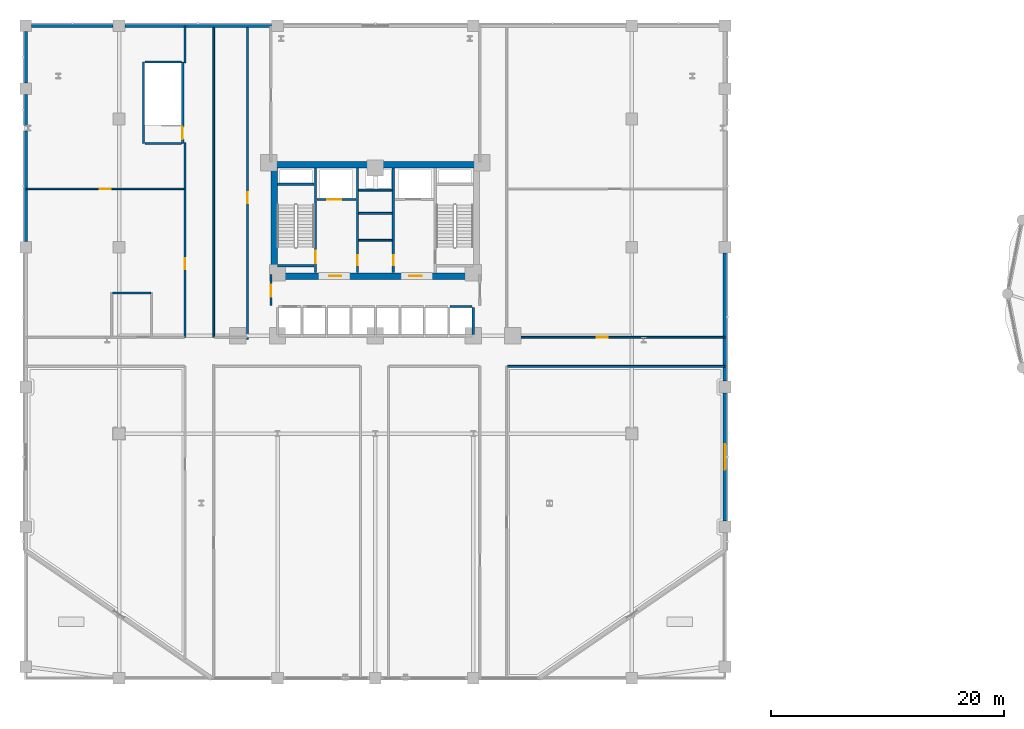
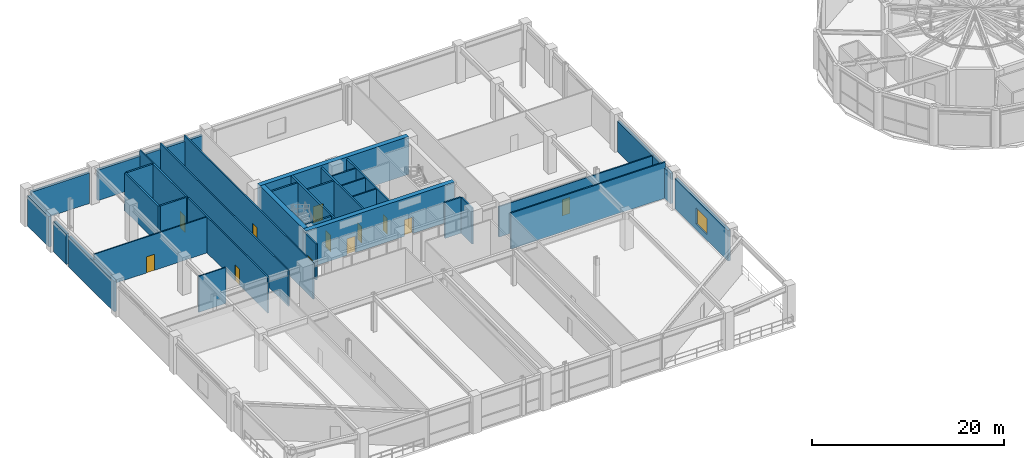
# One storey, part 16 of 26: 34 walls, 12 doors, 1 window, 13 openings.
"""IFC4 building model written with IfcOpenShell, lengths in metres."""

from ifc_helpers import new_model, si_unit, derived_unit, direction, frame, frame_2d, origin, place, context, subcontext, project, spatial, rectangle, extrude, material, layer, layer_set, type_object, element, fill, save


model = new_model("IFC4")

# Units and contexts
model_context = context("Model", 3, precision=1e-05, world=origin(), true_north=direction((0.0, 1.0)))
body_context = subcontext(model_context, "Body", "Model", "MODEL_VIEW")
ifc_project = project(units=[si_unit("LENGTHUNIT", "METRE"), si_unit("AREAUNIT", "SQUARE_METRE"), si_unit("VOLUMEUNIT", "CUBIC_METRE"), si_unit("PLANEANGLEUNIT", "RADIAN"), si_unit("MASSUNIT", "GRAM", prefix="KILO"), derived_unit("THERMALTRANSMITTANCEUNIT", [(si_unit("POWERUNIT", "WATT"), 1), (si_unit("LENGTHUNIT", "METRE"), -2), (si_unit("THERMODYNAMICTEMPERATUREUNIT", "KELVIN"), -1)])], contexts=[model_context])

# Site, building, storey
site_placement = place(None, origin())
site = spatial("IfcSite", under=ifc_project, at=site_placement, CompositionType="ELEMENT")
building_placement = place(site_placement, origin())
building = spatial("IfcBuilding", under=site, at=building_placement, Name="Korsvarv Bourse and Concert Hall", CompositionType="ELEMENT")
storey_placement = place(building_placement, frame((0.0, 0.0, 19.199951171875)))
storey = spatial("IfcBuildingStorey", under=building, at=storey_placement, Name="L04", CompositionType="ELEMENT", Elevation=19.199951171875)

# Wall, opening, door
ifc_material_1 = material(Name="Concrete C50/60", Category="concrete")
ifc_layer_1 = layer(ifc_material_1, 0.3798828125)
ifc_layer_set_1 = layer_set([ifc_layer_1], Name="Concrete C50/60")
wall_type_1 = type_object("IfcWallType", Name="WL-CORE-380", PredefinedType="SHEAR", material=ifc_layer_set_1)
wall_1_placement = place(storey_placement, frame((30.860107421875, 37.81005859375, 0.0), z_axis=(0.0, 0.0, 1.0), x_axis=(0.0, 1.0, 0.0)))
wall_1 = element("IfcWall", 1, at=wall_1_placement, inside=storey, type_object=wall_type_1, Name="L04 stair shaft structural wall W-L04-ST1-E", PredefinedType="SHEAR", context=body_context, shape_type="SweptSolid", body=[
    extrude(rectangle(XDim=8.97998046875, YDim=0.199951171875, at=frame_2d((4.489990234375, 0.0))), origin(), (0.0, 0.0, 1.0), 4.800048828125),
])
opening_1_placement = place(wall_1_placement, frame((0.820068359375, 0.0, 0.0)))
opening_1 = element("IfcOpeningElement", 2, at=opening_1_placement, cuts=wall_1, Name="Opening D-01", PredefinedType="OPENING", context=body_context, shape_type="SweptSolid", body=[
    extrude(rectangle(XDim=1.050048828125, YDim=2.10009765625, at=frame_2d((0.52490234375, 1.050048828125))), frame((0.0, 0.10986328125, 0.0), z_axis=(0.0, -1.0, 0.0), x_axis=(1.0, 0.0, 0.0)), (0.0, 0.0, 1.0), 0.219970703125),
])
ifc_material_2 = material(Name="Steel S355 fire door", Category="steel")
door_type_1 = type_object("IfcDoorType", Name="DR-FD60", OperationType="NOTDEFINED", PredefinedType="DOOR", material=ifc_material_2)
door_1_placement = place(opening_1_placement, origin())
door_1 = element("IfcDoor", 3, at=door_1_placement, inside=storey, type_object=door_type_1, Name="L04 interior door DR-L04-ST1", OperationType="SINGLE_SWING_RIGHT", OverallHeight=2.10009765625, OverallWidth=1.050048828125, PredefinedType="DOOR", context=body_context, shape_type="SweptSolid", body=[
    extrude(rectangle(XDim=1.050048828125, YDim=2.10009765625, at=frame_2d((0.52490234375, 1.050048828125))), frame((0.0, 0.02490234375, 0.0), z_axis=(0.0, -1.0, 0.0), x_axis=(1.0, 0.0, 0.0)), (0.0, 0.0, 1.0), 0.050048828125),
])
fill(opening_1, door_1)

# Walls
for number, where, z_axis, x_axis, name in (
    (4, (27.610107421875, 45.39990234375, 0.0), (0.0, 0.0, 1.0), (1.0, 0.0, 0.0), "L04 stair shaft structural wall W-L04-ST1-N"),
    (5, (27.610107421875, 38.39990234375, 0.0), (0.0, 0.0, 1.0), (1.0, 0.0, 0.0), "L04 stair shaft structural wall W-L04-ST1-S"),
):
    element("IfcWall", number, at=place(storey_placement, frame(where, z_axis=z_axis, x_axis=x_axis)), inside=storey, type_object=wall_type_1, Name=name, PredefinedType="SHEAR", context=body_context, shape_type="SweptSolid", body=[
        extrude(rectangle(XDim=3.139892578125, YDim=0.199951171875, at=frame_2d((1.56982421875, 0.0))), origin(), (0.0, 0.0, 1.0), 4.800048828125),
    ])

# Wall, opening, door
wall_2_placement = place(storey_placement, frame((19.4599609375, 48.89990234375, 0.0), z_axis=(0.0, 0.0, 1.0), x_axis=(0.0, 1.0, 0.0)))
wall_2 = element("IfcWall", 6, at=wall_2_placement, inside=storey, type_object=wall_type_1, Name="L04 stair shaft structural wall W-L04-STPD-E", PredefinedType="SHEAR", context=body_context, shape_type="SweptSolid", body=[
    extrude(rectangle(XDim=7.0, YDim=0.199951171875, at=frame_2d((3.5, 0.0))), origin(), (0.0, 0.0, 1.0), 4.800048828125),
])
opening_2_placement = place(wall_2_placement, frame((0.3798828125, 0.0, 0.0)))
opening_2 = element("IfcOpeningElement", 7, at=opening_2_placement, cuts=wall_2, Name="Opening D-01", PredefinedType="OPENING", context=body_context, shape_type="SweptSolid", body=[
    extrude(rectangle(XDim=1.050048828125, YDim=2.10009765625, at=frame_2d((0.52490234375, 1.050048828125))), frame((0.0, 0.10986328125, 0.0), z_axis=(0.0, -1.0, 0.0), x_axis=(1.0, 0.0, 0.0)), (0.0, 0.0, 1.0), 0.219970703125),
])
door_2_placement = place(opening_2_placement, origin())
door_2 = element("IfcDoor", 8, at=door_2_placement, inside=storey, type_object=door_type_1, Name="L04 interior door DR-L04-STPD1", OperationType="SINGLE_SWING_LEFT", OverallHeight=2.10009765625, OverallWidth=1.050048828125, PredefinedType="DOOR", context=body_context, shape_type="SweptSolid", body=[
    extrude(rectangle(XDim=1.050048828125, YDim=2.10009765625, at=frame_2d((0.52490234375, 1.050048828125))), frame((0.0, 0.02490234375, 0.0), z_axis=(0.0, -1.0, 0.0), x_axis=(1.0, 0.0, 0.0)), (0.0, 0.0, 1.0), 0.050048828125),
])
fill(opening_2, door_2)

# Walls
wall_3_placement = place(storey_placement, frame((16.10009765625, 48.89990234375, 0.0), z_axis=(0.0, 0.0, 1.0), x_axis=(0.0, 1.0, 0.0)))
element("IfcWall", 9, at=wall_3_placement, inside=storey, type_object=wall_type_1, Name="L04 stair shaft structural wall W-L04-STPD-W", PredefinedType="SHEAR", context=body_context, shape_type="SweptSolid", body=[
    extrude(rectangle(XDim=7.0, YDim=0.199951171875, at=frame_2d((3.5, 0.0))), origin(), (0.0, 0.0, 1.0), 4.800048828125),
])
for number, where, z_axis, x_axis, name in (
    (10, (16.2099609375, 55.89990234375, 0.0), (0.0, 0.0, 1.0), (1.0, 0.0, 0.0), "L04 stair shaft structural wall W-L04-STPD-N"),
    (11, (16.2099609375, 48.89990234375, 0.0), (0.0, 0.0, 1.0), (1.0, 0.0, 0.0), "L04 stair shaft structural wall W-L04-STPD-S"),
):
    element("IfcWall", number, at=place(storey_placement, frame(where, z_axis=z_axis, x_axis=x_axis)), inside=storey, type_object=wall_type_1, Name=name, PredefinedType="SHEAR", context=body_context, shape_type="SweptSolid", body=[
        extrude(rectangle(XDim=3.14013671875, YDim=0.199951171875, at=frame_2d((1.570068359375, 0.0))), origin(), (0.0, 0.0, 1.0), 4.800048828125),
    ])
ifc_material_3 = material(Name="Concrete C60/75", Category="concrete")
ifc_layer_2 = layer(ifc_material_3, 0.550048828125)
ifc_layer_set_2 = layer_set([ifc_layer_2], Name="Concrete C60/75")
wall_type_2 = type_object("IfcWallType", Name="WL-CORE-550", PredefinedType="SHEAR", material=ifc_layer_set_2)
wall_4_placement = place(storey_placement, frame((27.050048828125, 47.074951171875, 0.0), z_axis=(0.0, 0.0, 1.0), x_axis=(1.0, 0.0, 0.0)))
element("IfcWall", 12, at=wall_4_placement, inside=storey, type_object=wall_type_2, Name="L04 North Core Shear Wall", PredefinedType="SHEAR", context=body_context, shape_type="SweptSolid", body=[
    extrude(rectangle(XDim=17.89990234375, YDim=0.550048828125, at=frame_2d((8.949951171875, 0.0))), origin(), (0.0, 0.0, 1.0), 4.800048828125),
])

# Wall, openings, doors
wall_5_placement = place(storey_placement, frame((27.050048828125, 37.52490234375, 0.0), z_axis=(0.0, 0.0, 1.0), x_axis=(1.0, 0.0, 0.0)))
wall_5 = element("IfcWall", 13, at=wall_5_placement, inside=storey, type_object=wall_type_2, Name="L04 South Core Shear Wall", PredefinedType="SHEAR", context=body_context, shape_type="SweptSolid", body=[
    extrude(rectangle(XDim=17.89990234375, YDim=0.550048828125, at=frame_2d((8.949951171875, 0.0))), origin(), (0.0, 0.0, 1.0), 4.800048828125),
])
opening_3_placement = place(wall_5_placement, frame((4.97509765625, 0.0, 0.0)))
opening_3 = element("IfcOpeningElement", 14, at=opening_3_placement, cuts=wall_5, Name="Opening D-01", PredefinedType="OPENING", context=body_context, shape_type="SweptSolid", body=[
    extrude(rectangle(XDim=1.050048828125, YDim=2.10009765625, at=frame_2d((0.52490234375, 1.050048828125))), frame((0.0, 0.28515625, 0.0), z_axis=(0.0, -1.0, 0.0), x_axis=(1.0, 0.0, 0.0)), (0.0, 0.0, 1.0), 0.570068359375),
])
opening_4_placement = place(wall_5_placement, frame((11.875, 0.0, 0.0)))
opening_4 = element("IfcOpeningElement", 15, at=opening_4_placement, cuts=wall_5, Name="Opening D-01", PredefinedType="OPENING", context=body_context, shape_type="SweptSolid", body=[
    extrude(rectangle(XDim=1.050048828125, YDim=2.10009765625, at=frame_2d((0.52490234375, 1.050048828125))), frame((0.0, 0.28515625, 0.0), z_axis=(0.0, -1.0, 0.0), x_axis=(1.0, 0.0, 0.0)), (0.0, 0.0, 1.0), 0.570068359375),
])
door_3_placement = place(opening_3_placement, frame((1.050048828125, 0.0, 0.0), z_axis=(0.0, 0.0, 1.0), x_axis=(-1.0, 0.0, 0.0)))
door_3 = element("IfcDoor", 16, at=door_3_placement, inside=storey, type_object=door_type_1, Name="L04 firefighting lobby fire door DR-L04-FFLW", OperationType="SINGLE_SWING_LEFT", OverallHeight=2.10009765625, OverallWidth=1.050048828125, PredefinedType="DOOR", context=body_context, shape_type="SweptSolid", body=[
    extrude(rectangle(XDim=1.050048828125, YDim=2.10009765625, at=frame_2d((0.52490234375, 1.050048828125))), frame((0.0, 0.02490234375, 0.0), z_axis=(0.0, -1.0, 0.0), x_axis=(1.0, 0.0, 0.0)), (0.0, 0.0, 1.0), 0.050048828125),
])
fill(opening_3, door_3)
door_4_placement = place(opening_4_placement, frame((1.050048828125, 0.0, 0.0), z_axis=(0.0, 0.0, 1.0), x_axis=(-1.0, 0.0, 0.0)))
door_4 = element("IfcDoor", 17, at=door_4_placement, inside=storey, type_object=door_type_1, Name="L04 firefighting lobby fire door DR-L04-FFLE", OperationType="SINGLE_SWING_RIGHT", OverallHeight=2.10009765625, OverallWidth=1.050048828125, PredefinedType="DOOR", context=body_context, shape_type="SweptSolid", body=[
    extrude(rectangle(XDim=1.050048828125, YDim=2.10009765625, at=frame_2d((0.52490234375, 1.050048828125))), frame((0.0, 0.02490234375, 0.0), z_axis=(0.0, -1.0, 0.0), x_axis=(1.0, 0.0, 0.0)), (0.0, 0.0, 1.0), 0.050048828125),
])
fill(opening_4, door_4)

# Wall
wall_6_placement = place(storey_placement, frame((27.324951171875, 37.800048828125, 0.0), z_axis=(0.0, 0.0, 1.0), x_axis=(0.0, 1.0, 0.0)))
element("IfcWall", 18, at=wall_6_placement, inside=storey, type_object=wall_type_2, Name="L04 West Core Shear Wall", PredefinedType="SHEAR", context=body_context, shape_type="SweptSolid", body=[
    extrude(rectangle(XDim=9.0, YDim=0.550048828125, at=frame_2d((4.5, 0.0))), origin(), (0.0, 0.0, 1.0), 4.800048828125),
])

# Wall, opening, window
ifc_material_4 = material(Name="Precast concrete C45/55 with granite and terracotta", Category="concrete")
ifc_layer_3 = layer(ifc_material_4, 0.320068359375)
ifc_layer_set_3 = layer_set([ifc_layer_3], Name="Precast concrete C45/55 with granite and terracotta")
wall_type_3 = type_object("IfcWallType", Name="WL-EXT-POD", PredefinedType="SOLIDWALL", material=ifc_layer_set_3)
wall_7_placement = place(storey_placement, frame((66.0, 16.5048828125, 0.0), z_axis=(0.0, 0.0, 1.0), x_axis=(0.0, 1.0, 0.0)))
wall_7 = element("IfcWall", 19, at=wall_7_placement, inside=storey, type_object=wall_type_3, Name="L04 terracotta exterior wall EW-L04-G4-2", PredefinedType="SOLIDWALL", context=body_context, shape_type="SweptSolid", body=[
    extrude(rectangle(XDim=10.990234375, YDim=0.320068359375, at=frame_2d((5.4951171875, 0.0))), origin(), (0.0, 0.0, 1.0), 3.880126953125),
])
opening_5_placement = place(wall_7_placement, frame((4.39501953125, 0.0, 0.75)))
opening_5 = element("IfcOpeningElement", 20, at=opening_5_placement, cuts=wall_7, Name="Opening W-03", PredefinedType="OPENING", context=body_context, shape_type="SweptSolid", body=[
    extrude(rectangle(XDim=2.199951171875, YDim=2.0, at=frame_2d((1.10009765625, 1.0))), frame((0.0, 0.169921875, 0.0), z_axis=(0.0, -1.0, 0.0), x_axis=(1.0, 0.0, 0.0)), (0.0, 0.0, 1.0), 0.340087890625),
])
ifc_material_5 = material(Name="Thermally broken aluminium frame with triple low-E glass", Category="glass")
window_type = type_object("IfcWindowType", Name="WIN-POD1", PartitioningType="SINGLE_PANEL", PredefinedType="WINDOW", material=ifc_material_5)
window_placement = place(opening_5_placement, origin())
window = element("IfcWindow", 21, at=window_placement, inside=storey, type_object=window_type, Name="L04 punched facade window W-03", OverallHeight=2.0, OverallWidth=2.199951171875, PartitioningType="SINGLE_PANEL", PredefinedType="WINDOW", context=body_context, shape_type="SweptSolid", body=[
    extrude(rectangle(XDim=2.199951171875, YDim=2.0, at=frame_2d((1.10009765625, 1.0))), frame((0.0, 0.030029296875, 0.0), z_axis=(0.0, -1.0, 0.0), x_axis=(1.0, 0.0, 0.0)), (0.0, 0.0, 1.0), 0.06005859375),
])
fill(opening_5, window)

# Walls
wall_8_placement = place(storey_placement, frame((66.0, 28.5048828125, 0.0), z_axis=(0.0, 0.0, 1.0), x_axis=(0.0, 1.0, 0.0)))
element("IfcWall", 22, at=wall_8_placement, inside=storey, type_object=wall_type_3, Name="L04 terracotta exterior wall EW-L04-G4-3", PredefinedType="SOLIDWALL", context=body_context, shape_type="SweptSolid", body=[
    extrude(rectangle(XDim=10.990234375, YDim=0.320068359375, at=frame_2d((5.4951171875, 0.0))), origin(), (0.0, 0.0, 1.0), 3.880126953125),
])
wall_9_placement = place(storey_placement, frame((27.094970703125, 59.0, 0.0), z_axis=(0.0, 0.0, 1.0), x_axis=(-1.0, 0.0, 0.0)))
element("IfcWall", 23, at=wall_9_placement, inside=storey, type_object=wall_type_3, Name="L04 terracotta exterior wall EW-L04-G5-4", PredefinedType="SOLIDWALL", context=body_context, shape_type="SweptSolid", body=[
    extrude(rectangle(XDim=12.590087890625, YDim=0.320068359375, at=frame_2d((6.294921875, 0.0))), origin(), (0.0, 0.0, 1.0), 3.880126953125),
])
wall_10_placement = place(storey_placement, frame((13.4951171875, 59.0, 0.0), z_axis=(0.0, 0.0, 1.0), x_axis=(-1.0, 0.0, 0.0)))
element("IfcWall", 24, at=wall_10_placement, inside=storey, type_object=wall_type_3, Name="L04 terracotta exterior wall EW-L04-G5-5", PredefinedType="SOLIDWALL", context=body_context, shape_type="SweptSolid", body=[
    extrude(rectangle(XDim=6.990234375, YDim=0.320068359375, at=frame_2d((3.4951171875, 0.0))), origin(), (0.0, 0.0, 1.0), 3.880126953125),
])
wall_11_placement = place(storey_placement, frame((6.0, 58.4951171875, 0.0), z_axis=(0.0, 0.0, 1.0), x_axis=(0.0, -1.0, 0.0)))
element("IfcWall", 25, at=wall_11_placement, inside=storey, type_object=wall_type_3, Name="L04 terracotta exterior wall EW-L04-G6-1", PredefinedType="SOLIDWALL", context=body_context, shape_type="SweptSolid", body=[
    extrude(rectangle(XDim=4.39013671875, YDim=0.320068359375, at=frame_2d((2.195068359375, 0.0))), origin(), (0.0, 0.0, 1.0), 3.880126953125),
])
wall_12_placement = place(storey_placement, frame((6.0, 53.094970703125, 0.0), z_axis=(0.0, 0.0, 1.0), x_axis=(0.0, -1.0, 0.0)))
element("IfcWall", 26, at=wall_12_placement, inside=storey, type_object=wall_type_3, Name="L04 terracotta exterior wall EW-L04-G6-2", PredefinedType="SOLIDWALL", context=body_context, shape_type="SweptSolid", body=[
    extrude(rectangle(XDim=2.6357421875, YDim=0.320068359375, at=frame_2d((1.31787109375, 0.0))), origin(), (0.0, 0.0, 1.0), 3.880126953125),
])
wall_13_placement = place(storey_placement, frame((6.0, 49.97509765625, 0.0), z_axis=(0.0, 0.0, 1.0), x_axis=(0.0, -1.0, 0.0)))
element("IfcWall", 27, at=wall_13_placement, inside=storey, type_object=wall_type_3, Name="L04 terracotta exterior wall EW-L04-G6-3", PredefinedType="SOLIDWALL", context=body_context, shape_type="SweptSolid", body=[
    extrude(rectangle(XDim=9.47021484375, YDim=0.320068359375, at=frame_2d((4.735107421875, 0.0))), origin(), (0.0, 0.0, 1.0), 3.880126953125),
])

# Wall, opening, door
ifc_material_6 = material(Name="Reinforced concrete blockwork C35/45 fire wall", Category="concrete")
ifc_layer_4 = layer(ifc_material_6, 0.199951171875)
ifc_layer_set_4 = layer_set([ifc_layer_4], Name="Reinforced concrete blockwork C35/45 fire wall")
wall_type_4 = type_object("IfcWallType", Name="WL-INT-EI120", PredefinedType="PARTITIONING", material=ifc_layer_set_4)
wall_14_placement = place(storey_placement, frame((30.969970703125, 44.10009765625, 0.0), z_axis=(0.0, 0.0, 1.0), x_axis=(1.0, 0.0, 0.0)))
wall_14 = element("IfcWall", 28, at=wall_14_placement, inside=storey, type_object=wall_type_4, Name="L04 interior partition wall W-L04-FF1-S", PredefinedType="PARTITIONING", context=body_context, shape_type="SweptSolid", body=[
    extrude(rectangle(XDim=3.380126953125, YDim=0.199951171875, at=frame_2d((1.68994140625, 0.0))), origin(), (0.0, 0.0, 1.0), 4.580078125),
])
opening_6_placement = place(wall_14_placement, frame((0.89990234375, 0.0, 0.0)))
opening_6 = element("IfcOpeningElement", 29, at=opening_6_placement, cuts=wall_14, Name="Opening LD-1", PredefinedType="OPENING", context=body_context, shape_type="SweptSolid", body=[
    extrude(rectangle(XDim=1.199951171875, YDim=2.10009765625, at=frame_2d((0.60009765625, 1.050048828125))), frame((0.0, 0.10986328125, 0.0), z_axis=(0.0, -1.0, 0.0), x_axis=(1.0, 0.0, 0.0)), (0.0, 0.0, 1.0), 0.219970703125),
])
ifc_material_7 = material(Name="Stainless Steel S355 firefighting lift landing door", Category="steel")
door_type_2 = type_object("IfcDoorType", Name="DR-LIFT-FF", OperationType="DOUBLE_DOOR_SLIDING", PredefinedType="DOOR", material=ifc_material_7)
door_5_placement = place(opening_6_placement, origin())
door_5 = element("IfcDoor", 30, at=door_5_placement, inside=storey, type_object=door_type_2, Name="L04 lift sliding landing door LD-L04-FF1", OperationType="DOUBLE_DOOR_SLIDING", OverallHeight=2.10009765625, OverallWidth=1.199951171875, PredefinedType="DOOR", context=body_context, shape_type="SweptSolid", body=[
    extrude(rectangle(XDim=1.199951171875, YDim=2.10009765625, at=frame_2d((0.60009765625, 1.050048828125))), frame((0.0, 0.02490234375, 0.0), z_axis=(0.0, -1.0, 0.0), x_axis=(1.0, 0.0, 0.0)), (0.0, 0.0, 1.0), 0.050048828125),
])
fill(opening_6, door_5)

wall_15_placement = place(storey_placement, frame((34.4599609375, 37.81005859375, 0.0), z_axis=(0.0, 0.0, 1.0), x_axis=(0.0, 1.0, 0.0)))
wall_15 = element("IfcWall", 31, at=wall_15_placement, inside=storey, type_object=wall_type_4, Name="L04 interior partition wall W-L04-CSB-W", PredefinedType="PARTITIONING", context=body_context, shape_type="SweptSolid", body=[
    extrude(rectangle(XDim=8.97998046875, YDim=0.199951171875, at=frame_2d((4.489990234375, 0.0))), origin(), (0.0, 0.0, 1.0), 4.580078125),
])
opening_7_placement = place(wall_15_placement, frame((0.64990234375, 0.0, 0.0)))
opening_7 = element("IfcOpeningElement", 32, at=opening_7_placement, cuts=wall_15, Name="Opening D-05", PredefinedType="OPENING", context=body_context, shape_type="SweptSolid", body=[
    extrude(rectangle(XDim=0.85009765625, YDim=2.050048828125, at=frame_2d((0.425048828125, 1.02490234375))), frame((0.0, 0.10986328125, 0.0), z_axis=(0.0, -1.0, 0.0), x_axis=(1.0, 0.0, 0.0)), (0.0, 0.0, 1.0), 0.219970703125),
])
door_type_3 = type_object("IfcDoorType", Name="DR-FD60-850X2050", OperationType="NOTDEFINED", PredefinedType="DOOR", material=ifc_material_2)
door_6_placement = place(opening_7_placement, frame((0.85009765625, 0.0, 0.0), z_axis=(0.0, 0.0, 1.0), x_axis=(-1.0, 0.0, 0.0)))
door_6 = element("IfcDoor", 33, at=door_6_placement, inside=storey, type_object=door_type_3, Name="L04 interior door DR-L04-CSB1", OperationType="SINGLE_SWING_RIGHT", OverallHeight=2.050048828125, OverallWidth=0.85009765625, PredefinedType="DOOR", context=body_context, shape_type="SweptSolid", body=[
    extrude(rectangle(XDim=0.85009765625, YDim=2.050048828125, at=frame_2d((0.425048828125, 1.02490234375))), frame((0.0, 0.02490234375, 0.0), z_axis=(0.0, -1.0, 0.0), x_axis=(1.0, 0.0, 0.0)), (0.0, 0.0, 1.0), 0.050048828125),
])
fill(opening_7, door_6)

wall_16_placement = place(storey_placement, frame((37.5400390625, 37.81005859375, 0.0), z_axis=(0.0, 0.0, 1.0), x_axis=(0.0, 1.0, 0.0)))
wall_16 = element("IfcWall", 34, at=wall_16_placement, inside=storey, type_object=wall_type_4, Name="L04 interior partition wall W-L04-CSB-E", PredefinedType="PARTITIONING", context=body_context, shape_type="SweptSolid", body=[
    extrude(rectangle(XDim=8.97998046875, YDim=0.199951171875, at=frame_2d((4.489990234375, 0.0))), origin(), (0.0, 0.0, 1.0), 4.580078125),
])
opening_8_placement = place(wall_16_placement, frame((0.64990234375, 0.0, 0.0)))
opening_8 = element("IfcOpeningElement", 35, at=opening_8_placement, cuts=wall_16, Name="Opening D-05", PredefinedType="OPENING", context=body_context, shape_type="SweptSolid", body=[
    extrude(rectangle(XDim=0.85009765625, YDim=2.050048828125, at=frame_2d((0.425048828125, 1.02490234375))), frame((0.0, 0.10986328125, 0.0), z_axis=(0.0, -1.0, 0.0), x_axis=(1.0, 0.0, 0.0)), (0.0, 0.0, 1.0), 0.219970703125),
])
door_7_placement = place(opening_8_placement, origin())
door_7 = element("IfcDoor", 36, at=door_7_placement, inside=storey, type_object=door_type_3, Name="L04 interior door DR-L04-CSB2", OperationType="SINGLE_SWING_LEFT", OverallHeight=2.050048828125, OverallWidth=0.85009765625, PredefinedType="DOOR", context=body_context, shape_type="SweptSolid", body=[
    extrude(rectangle(XDim=0.85009765625, YDim=2.050048828125, at=frame_2d((0.425048828125, 1.02490234375))), frame((0.0, 0.02490234375, 0.0), z_axis=(0.0, -1.0, 0.0), x_axis=(1.0, 0.0, 0.0)), (0.0, 0.0, 1.0), 0.050048828125),
])
fill(opening_8, door_7)

# Walls
ifc_material_8 = material(Name="Double-stud fire-rated acoustic partition", Category="gypsum")
ifc_layer_5 = layer(ifc_material_8, 0.159912109375)
ifc_layer_set_5 = layer_set([ifc_layer_5], Name="Double-stud fire-rated acoustic partition")
wall_type_5 = type_object("IfcWallType", Name="WL-INT-EI60", PredefinedType="PARTITIONING", material=ifc_layer_set_5)
for number, where, z_axis, x_axis, name in (
    (37, (34.570068359375, 40.60009765625, 0.0), (0.0, 0.0, 1.0), (1.0, 0.0, 0.0), "L04 interior partition wall W-L04-K1"),
    (38, (34.570068359375, 42.89990234375, 0.0), (0.0, 0.0, 1.0), (1.0, 0.0, 0.0), "L04 interior partition wall W-L04-K2"),
    (39, (34.570068359375, 44.89990234375, 0.0), (0.0, 0.0, 1.0), (1.0, 0.0, 0.0), "L04 interior partition wall W-L04-K3"),
):
    element("IfcWall", number, at=place(storey_placement, frame(where, z_axis=z_axis, x_axis=x_axis)), inside=storey, type_object=wall_type_5, Name=name, PredefinedType="PARTITIONING", context=body_context, shape_type="SweptSolid", body=[
        extrude(rectangle(XDim=2.85986328125, YDim=0.159912109375, at=frame_2d((1.429931640625, 0.0))), origin(), (0.0, 0.0, 1.0), 4.580078125),
    ])

# Wall, opening, door
wall_17_placement = place(storey_placement, frame((27.0400390625, 35.0, 0.0), z_axis=(0.0, 0.0, 1.0), x_axis=(0.0, 1.0, 0.0)))
wall_17 = element("IfcWall", 40, at=wall_17_placement, inside=storey, type_object=wall_type_5, Name="L04 interior partition wall W-L04-LOB-W", PredefinedType="PARTITIONING", context=body_context, shape_type="SweptSolid", body=[
    extrude(rectangle(XDim=2.64990234375, YDim=0.159912109375, at=frame_2d((1.324951171875, 0.0))), origin(), (0.0, 0.0, 1.0), 4.580078125),
])
opening_9_placement = place(wall_17_placement, frame((0.75, 0.0, 0.0)))
opening_9 = element("IfcOpeningElement", 41, at=opening_9_placement, cuts=wall_17, Name="Opening D-01", PredefinedType="OPENING", context=body_context, shape_type="SweptSolid", body=[
    extrude(rectangle(XDim=1.050048828125, YDim=2.10009765625, at=frame_2d((0.52490234375, 1.050048828125))), frame((0.0, 0.08984375, 0.0), z_axis=(0.0, -1.0, 0.0), x_axis=(1.0, 0.0, 0.0)), (0.0, 0.0, 1.0), 0.179931640625),
])
door_8_placement = place(opening_9_placement, frame((1.050048828125, 0.0, 0.0), z_axis=(0.0, 0.0, 1.0), x_axis=(-1.0, 0.0, 0.0)))
door_8 = element("IfcDoor", 42, at=door_8_placement, inside=storey, type_object=door_type_1, Name="L04 interior door DR-L04-LOBW", OperationType="SINGLE_SWING_RIGHT", OverallHeight=2.10009765625, OverallWidth=1.050048828125, PredefinedType="DOOR", context=body_context, shape_type="SweptSolid", body=[
    extrude(rectangle(XDim=1.050048828125, YDim=2.10009765625, at=frame_2d((0.52490234375, 1.050048828125))), frame((0.0, 0.02490234375, 0.0), z_axis=(0.0, -1.0, 0.0), x_axis=(1.0, 0.0, 0.0)), (0.0, 0.0, 1.0), 0.050048828125),
])
fill(opening_9, door_8)

wall_18_placement = place(storey_placement, frame((25.02490234375, 32.1201171875, 0.0), z_axis=(0.0, 0.0, 1.0), x_axis=(0.0, 1.0, 0.0)))
wall_18 = element("IfcWall", 43, at=wall_18_placement, inside=storey, type_object=wall_type_5, Name="L04 interior partition wall W-L04-PCOR-02", PredefinedType="PARTITIONING", context=body_context, shape_type="SweptSolid", body=[
    extrude(rectangle(XDim=26.85986328125, YDim=0.159912109375, at=frame_2d((13.429931640625, 0.0))), origin(), (0.0, 0.0, 1.0), 4.580078125),
])
opening_10_placement = place(wall_18_placement, frame((11.64794921875, 0.0, 0.0)))
opening_10 = element("IfcOpeningElement", 44, at=opening_10_placement, cuts=wall_18, Name="Opening D-02", PredefinedType="OPENING", context=body_context, shape_type="SweptSolid", body=[
    extrude(rectangle(XDim=0.949951171875, YDim=2.050048828125, at=frame_2d((0.47509765625, 1.02490234375))), frame((0.0, 0.08984375, 0.0), z_axis=(0.0, -1.0, 0.0), x_axis=(1.0, 0.0, 0.0)), (0.0, 0.0, 1.0), 0.179931640625),
])
ifc_material_9 = material(Name="Timber and steel acoustic fire door", Category="wood")
door_type_4 = type_object("IfcDoorType", Name="DR-FD30", OperationType="NOTDEFINED", PredefinedType="DOOR", material=ifc_material_9)
door_9_placement = place(opening_10_placement, origin())
door_9 = element("IfcDoor", 45, at=door_9_placement, inside=storey, type_object=door_type_4, Name="L04 interior door DR-L04-PCOR-RM77", OperationType="SINGLE_SWING_LEFT", OverallHeight=2.050048828125, OverallWidth=0.949951171875, PredefinedType="DOOR", context=body_context, shape_type="SweptSolid", body=[
    extrude(rectangle(XDim=0.949951171875, YDim=2.050048828125, at=frame_2d((0.47509765625, 1.02490234375))), frame((0.0, 0.02490234375, 0.0), z_axis=(0.0, -1.0, 0.0), x_axis=(1.0, 0.0, 0.0)), (0.0, 0.0, 1.0), 0.050048828125),
])
fill(opening_10, door_9)

# Wall
wall_19_placement = place(storey_placement, frame((22.125, 32.27001953125, 0.0), z_axis=(0.0, 0.0, 1.0), x_axis=(0.0, 1.0, 0.0)))
element("IfcWall", 46, at=wall_19_placement, inside=storey, type_object=wall_type_5, Name="L04 interior partition wall W-L04-PCOR-08", PredefinedType="PARTITIONING", context=body_context, shape_type="SweptSolid", body=[
    extrude(rectangle(XDim=26.7099609375, YDim=0.159912109375, at=frame_2d((13.35498046875, 0.0))), origin(), (0.0, 0.0, 1.0), 4.580078125),
])

# Wall, opening, door
wall_20_placement = place(storey_placement, frame((47.35693359375, 32.27490234375, 0.0), z_axis=(0.0, 0.0, 1.0), x_axis=(1.0, 0.0, 0.0)))
wall_20 = element("IfcWall", 47, at=wall_20_placement, inside=storey, type_object=wall_type_5, Name="L04 interior partition wall W-L04-PCOR-10", PredefinedType="PARTITIONING", context=body_context, shape_type="SweptSolid", body=[
    extrude(rectangle(XDim=18.623046875, YDim=0.159912109375, at=frame_2d((9.3115234375, 0.0))), origin(), (0.0, 0.0, 1.0), 3.880126953125),
])
opening_11_placement = place(wall_20_placement, frame((7.650634765625, 0.0, 0.0)))
opening_11 = element("IfcOpeningElement", 48, at=opening_11_placement, cuts=wall_20, Name="Opening D-02", PredefinedType="OPENING", context=body_context, shape_type="SweptSolid", body=[
    extrude(rectangle(XDim=0.949951171875, YDim=2.050048828125, at=frame_2d((0.47509765625, 1.02490234375))), frame((0.0, 0.08984375, 0.0), z_axis=(0.0, -1.0, 0.0), x_axis=(1.0, 0.0, 0.0)), (0.0, 0.0, 1.0), 0.179931640625),
])
door_10_placement = place(opening_11_placement, origin())
door_10 = element("IfcDoor", 49, at=door_10_placement, inside=storey, type_object=door_type_4, Name="L04 interior door DR-L04-PCOR-RM11", OperationType="SINGLE_SWING_LEFT", OverallHeight=2.050048828125, OverallWidth=0.949951171875, PredefinedType="DOOR", context=body_context, shape_type="SweptSolid", body=[
    extrude(rectangle(XDim=0.949951171875, YDim=2.050048828125, at=frame_2d((0.47509765625, 1.02490234375))), frame((0.0, 0.02490234375, 0.0), z_axis=(0.0, -1.0, 0.0), x_axis=(1.0, 0.0, 0.0)), (0.0, 0.0, 1.0), 0.050048828125),
])
fill(opening_11, door_10)

# Wall
wall_21_placement = place(storey_placement, frame((47.35693359375, 29.77490234375, 0.0), z_axis=(0.0, 0.0, 1.0), x_axis=(1.0, 0.0, 0.0)))
element("IfcWall", 50, at=wall_21_placement, inside=storey, type_object=wall_type_5, Name="L04 interior partition wall W-L04-PCOR-11", PredefinedType="PARTITIONING", context=body_context, shape_type="SweptSolid", body=[
    extrude(rectangle(XDim=18.623046875, YDim=0.159912109375, at=frame_2d((9.3115234375, 0.0))), origin(), (0.0, 0.0, 1.0), 4.580078125),
])

# Wall, opening, door
wall_22_placement = place(storey_placement, frame((19.6650390625, 32.27001953125, 0.0), z_axis=(0.0, 0.0, 1.0), x_axis=(0.0, 1.0, 0.0)))
wall_22 = element("IfcWall", 51, at=wall_22_placement, inside=storey, type_object=wall_type_5, Name="L04 interior partition wall W-L04-PCOR-12", PredefinedType="PARTITIONING", context=body_context, shape_type="SweptSolid", body=[
    extrude(rectangle(XDim=16.7099609375, YDim=0.159912109375, at=frame_2d((8.35498046875, 0.0))), origin(), (0.0, 0.0, 1.0), 4.580078125),
])
opening_12_placement = place(wall_22_placement, frame((5.8388671875, 0.0, 0.0)))
opening_12 = element("IfcOpeningElement", 52, at=opening_12_placement, cuts=wall_22, Name="Opening D-02", PredefinedType="OPENING", context=body_context, shape_type="SweptSolid", body=[
    extrude(rectangle(XDim=0.949951171875, YDim=2.050048828125, at=frame_2d((0.47509765625, 1.02490234375))), frame((0.0, 0.08984375, 0.0), z_axis=(0.0, -1.0, 0.0), x_axis=(1.0, 0.0, 0.0)), (0.0, 0.0, 1.0), 0.179931640625),
])
door_11_placement = place(opening_12_placement, origin())
door_11 = element("IfcDoor", 53, at=door_11_placement, inside=storey, type_object=door_type_4, Name="L04 interior door DR-L04-PCOR-RM99", OperationType="SINGLE_SWING_RIGHT", OverallHeight=2.050048828125, OverallWidth=0.949951171875, PredefinedType="DOOR", context=body_context, shape_type="SweptSolid", body=[
    extrude(rectangle(XDim=0.949951171875, YDim=2.050048828125, at=frame_2d((0.47509765625, 1.02490234375))), frame((0.0, 0.02490234375, 0.0), z_axis=(0.0, -1.0, 0.0), x_axis=(1.0, 0.0, 0.0)), (0.0, 0.0, 1.0), 0.050048828125),
])
fill(opening_12, door_11)

# Walls
wall_23_placement = place(storey_placement, frame((19.6650390625, 55.840087890625, 0.0), z_axis=(0.0, 0.0, 1.0), x_axis=(0.0, 1.0, 0.0)))
element("IfcWall", 54, at=wall_23_placement, inside=storey, type_object=wall_type_5, Name="L04 interior partition wall W-L04-PCOR-19", PredefinedType="PARTITIONING", context=body_context, shape_type="SweptSolid", body=[
    extrude(rectangle(XDim=3.139892578125, YDim=0.159912109375, at=frame_2d((1.56982421875, 0.0))), origin(), (0.0, 0.0, 1.0), 4.580078125),
])
ifc_material_10 = material(Name="Gypsum-clad autoclaved concrete shaft wall C30/37", Category="concrete")
ifc_layer_6 = layer(ifc_material_10, 0.179931640625)
ifc_layer_set_6 = layer_set([ifc_layer_6], Name="Gypsum-clad autoclaved concrete shaft wall C30/37")
wall_type_6 = type_object("IfcWallType", Name="WL-INT-EI90", PredefinedType="PARTITIONING", material=ifc_layer_set_6)
wall_24_placement = place(storey_placement, frame((42.389892578125, 34.89990234375, 0.0), z_axis=(0.0, 0.0, 1.0), x_axis=(1.0, 0.0, 0.0)))
element("IfcWall", 55, at=wall_24_placement, inside=storey, type_object=wall_type_6, Name="L04 interior partition wall W-L04-SHFN-PO2", PredefinedType="PARTITIONING", context=body_context, shape_type="SweptSolid", body=[
    extrude(rectangle(XDim=1.920166015625, YDim=0.179931640625, at=frame_2d((0.9599609375, 0.0))), origin(), (0.0, 0.0, 1.0), 4.580078125),
])
wall_25_placement = place(storey_placement, frame((44.39990234375, 32.489990234375, 0.0), z_axis=(0.0, 0.0, 1.0), x_axis=(0.0, 1.0, 0.0)))
element("IfcWall", 56, at=wall_25_placement, inside=storey, type_object=wall_type_6, Name="L04 interior partition wall W-L04-SHFE-END", PredefinedType="PARTITIONING", context=body_context, shape_type="SweptSolid", body=[
    extrude(rectangle(XDim=2.320068359375, YDim=0.179931640625, at=frame_2d((1.16015625, 0.0))), origin(), (0.0, 0.0, 1.0), 4.580078125),
])

# Wall, opening, door
ifc_material_11 = material(Name="Insulated steel-stud office acoustic partition", Category="gypsum")
ifc_layer_7 = layer(ifc_material_11, 0.139892578125)
ifc_layer_set_7 = layer_set([ifc_layer_7], Name="Insulated steel-stud office acoustic partition")
wall_type_7 = type_object("IfcWallType", Name="WL-INT-P1", PredefinedType="PARTITIONING", material=ifc_layer_set_7)
wall_26_placement = place(storey_placement, frame((6.02001953125, 45.0048828125, 0.0), z_axis=(0.0, 0.0, 1.0), x_axis=(1.0, 0.0, 0.0)))
wall_26 = element("IfcWall", 57, at=wall_26_placement, inside=storey, type_object=wall_type_7, Name="L04 interior partition wall W-L04-PCOR-22", PredefinedType="PARTITIONING", context=body_context, shape_type="SweptSolid", body=[
    extrude(rectangle(XDim=13.56298828125, YDim=0.139892578125, at=frame_2d((6.781494140625, 0.0))), origin(), (0.0, 0.0, 1.0), 4.580078125),
])
opening_13_placement = place(wall_26_placement, frame((6.306396484375, 0.0, 0.0)))
opening_13 = element("IfcOpeningElement", 58, at=opening_13_placement, cuts=wall_26, Name="Opening D-03", PredefinedType="OPENING", context=body_context, shape_type="SweptSolid", body=[
    extrude(rectangle(XDim=0.949951171875, YDim=2.050048828125, at=frame_2d((0.47509765625, 1.02490234375))), frame((0.0, 0.080078125, 0.0), z_axis=(0.0, -1.0, 0.0), x_axis=(1.0, 0.0, 0.0)), (0.0, 0.0, 1.0), 0.159912109375),
])
ifc_material_12 = material(Name="Nordic oak acoustic office door", Category="wood")
door_type_5 = type_object("IfcDoorType", Name="DR-INT-1", OperationType="NOTDEFINED", PredefinedType="DOOR", material=ifc_material_12)
door_12_placement = place(opening_13_placement, origin())
door_12 = element("IfcDoor", 59, at=door_12_placement, inside=storey, type_object=door_type_5, Name="L04 interior door DR-L04-PCOR-WC10", OperationType="SINGLE_SWING_RIGHT", OverallHeight=2.050048828125, OverallWidth=0.949951171875, PredefinedType="DOOR", context=body_context, shape_type="SweptSolid", body=[
    extrude(rectangle(XDim=0.949951171875, YDim=2.050048828125, at=frame_2d((0.47509765625, 1.02490234375))), frame((0.0, 0.02490234375, 0.0), z_axis=(0.0, -1.0, 0.0), x_axis=(1.0, 0.0, 0.0)), (0.0, 0.0, 1.0), 0.050048828125),
])
fill(opening_13, door_12)

# Wall
wall_27_placement = place(storey_placement, frame((13.447021484375, 36.074951171875, 0.0), z_axis=(0.0, 0.0, 1.0), x_axis=(1.0, 0.0, 0.0)))
element("IfcWall", 60, at=wall_27_placement, inside=storey, type_object=wall_type_7, Name="L04 interior partition wall W-L04-PCOR-25", PredefinedType="PARTITIONING", context=body_context, shape_type="SweptSolid", body=[
    extrude(rectangle(XDim=3.255859375, YDim=0.139892578125, at=frame_2d((1.6279296875, 0.0))), origin(), (0.0, 0.0, 1.0), 4.580078125),
])

save(model, "model.ifc")
